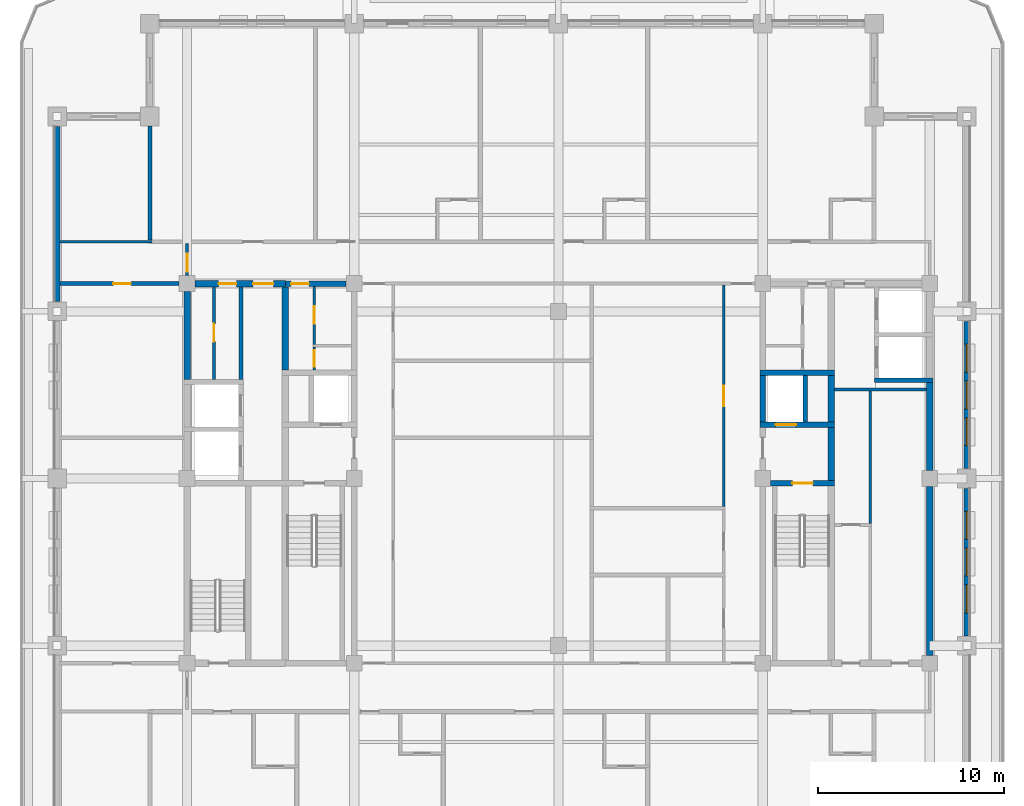
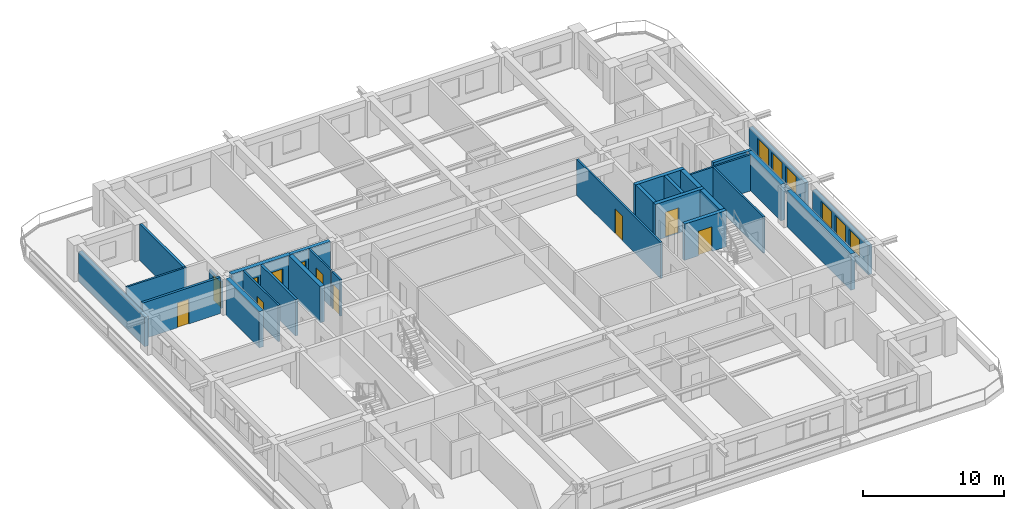
# One storey, part 5 of 14: 28 walls, 11 doors, 6 windows, 17 openings.
"""IFC4 building model written with IfcOpenShell, lengths in metres."""

from ifc_helpers import new_model, si_unit, direction, frame, frame_2d, origin, place, context, subcontext, project, spatial, rectangle, extrude, material, layer, layer_set, type_object, element, fill, save


model = new_model("IFC4")

# Units and contexts
model_context = context("Model", 3, precision=1e-05, world=origin(), true_north=direction((0.0, 1.0)))
body_context = subcontext(model_context, "Body", "Model", "MODEL_VIEW")
ifc_project = project(units=[si_unit("LENGTHUNIT", "METRE"), si_unit("AREAUNIT", "SQUARE_METRE"), si_unit("VOLUMEUNIT", "CUBIC_METRE"), si_unit("PLANEANGLEUNIT", "RADIAN"), si_unit("MASSUNIT", "GRAM", prefix="KILO")], contexts=[model_context])

# Site, building, storey
site_placement = place(None, origin())
site = spatial("IfcSite", under=ifc_project, at=site_placement, CompositionType="ELEMENT")
building_placement = place(site_placement, origin())
building = spatial("IfcBuilding", under=site, at=building_placement, Name="Zulmaris Gate Convention Tower", CompositionType="ELEMENT")
storey_placement = place(building_placement, frame((0.0, 0.0, 205.06005859375)))
storey = spatial("IfcBuildingStorey", under=building, at=storey_placement, Name="L53", CompositionType="ELEMENT", Elevation=205.06005859375)

# Walls
ifc_material_1 = material(Name="Concrete C50/60", Category="concrete")
ifc_layer_1 = layer(ifc_material_1, 0.25, Name="Concrete C50/60")
ifc_layer_set_1 = layer_set([ifc_layer_1], Name="Concrete C50/60")
wall_type_1 = type_object("IfcWallType", Name="CORE-250", PredefinedType="SOLIDWALL", material=ifc_layer_set_1)
wall_1_placement = place(storey_placement, frame((17.02490234375, 5.300048828125, 0.0), z_axis=(0.0, 0.0, 1.0), x_axis=(1.0, 0.0, 0.0)))
element("IfcWall", 1, at=wall_1_placement, inside=storey, type_object=wall_type_1, Name="WL-L53-011", PredefinedType="SOLIDWALL", context=body_context, shape_type="SweptSolid", body=[
    extrude(rectangle(XDim=3.150146484375, YDim=0.25, at=frame_2d((1.5751953125, 0.0))), origin(), (0.0, 0.0, 1.0), 3.14990234375),
])
wall_2_placement = place(storey_placement, frame((13.300048828125, 3.052001953125, 0.0), z_axis=(0.0, 0.0, 1.0), x_axis=(0.0, 1.0, 0.0)))
element("IfcWall", 2, at=wall_2_placement, inside=storey, type_object=wall_type_1, Name="WL-L53-067", PredefinedType="SOLIDWALL", context=body_context, shape_type="SweptSolid", body=[
    extrude(rectangle(XDim=2.49609375, YDim=0.25, at=frame_2d((1.248046875, 0.0))), origin(), (0.0, 0.0, 1.0), 3.14990234375),
])

# Wall, opening, door
ifc_layer_2 = layer(ifc_material_1, 0.300048828125, Name="Concrete C50/60")
ifc_layer_set_2 = layer_set([ifc_layer_2], Name="Concrete C50/60")
wall_type_2 = type_object("IfcWallType", Name="CORE-300", PredefinedType="SHEAR", material=ifc_layer_set_2)
wall_3_placement = place(storey_placement, frame((11.428955078125, -0.25, 0.0), z_axis=(0.0, 0.0, 1.0), x_axis=(1.0, 0.0, 0.0)))
wall_3 = element("IfcWall", 3, at=wall_3_placement, inside=storey, type_object=wall_type_2, Name="WL-L53-006", PredefinedType="SHEAR", context=body_context, shape_type="SweptSolid", body=[
    extrude(rectangle(XDim=3.446044921875, YDim=0.300048828125, at=frame_2d((1.72314453125, 0.0))), origin(), (0.0, 0.0, 1.0), 3.14990234375),
])
opening_1_placement = place(wall_3_placement, frame((1.1708984375, 0.0, 0.0)))
opening_1 = element("IfcOpeningElement", 4, at=opening_1_placement, cuts=wall_3, Name="Opening D-08", PredefinedType="OPENING", context=body_context, shape_type="SweptSolid", body=[
    extrude(rectangle(XDim=1.10009765625, YDim=2.14990234375, at=frame_2d((0.550048828125, 1.074951171875))), frame((0.0, 0.16015625, 0.0), z_axis=(0.0, -1.0, 0.0), x_axis=(1.0, 0.0, 0.0)), (0.0, 0.0, 1.0), 0.320068359375),
])
ifc_material_2 = material(Name="Fire-Rated Steel", Category="steel")
door_type_1 = type_object("IfcDoorType", Name="DR-1100-FD", OperationType="NOTDEFINED", PredefinedType="DOOR", material=ifc_material_2)
door_1_placement = place(opening_1_placement, origin())
door_1 = element("IfcDoor", 5, at=door_1_placement, inside=storey, type_object=door_type_1, Name="L53 Exit Stair ST-2 Door 04", OperationType="SINGLE_SWING_RIGHT", OverallHeight=2.14990234375, OverallWidth=1.10009765625, PredefinedType="DOOR", context=body_context, shape_type="SweptSolid", body=[
    extrude(rectangle(XDim=1.10009765625, YDim=2.14990234375, at=frame_2d((0.550048828125, 1.074951171875))), frame((0.0, 0.02490234375, 0.0), z_axis=(0.0, -1.0, 0.0), x_axis=(1.0, 0.0, 0.0)), (0.0, 0.0, 1.0), 0.050048828125),
])
fill(opening_1, door_1)

wall_4_placement = place(storey_placement, frame((10.85009765625, 2.89990234375, 0.0), z_axis=(0.0, 0.0, 1.0), x_axis=(1.0, 0.0, 0.0)))
wall_4 = element("IfcWall", 6, at=wall_4_placement, inside=storey, type_object=wall_type_2, Name="WL-L53-009", PredefinedType="SHEAR", context=body_context, shape_type="SweptSolid", body=[
    extrude(rectangle(XDim=4.02490234375, YDim=0.300048828125, at=frame_2d((2.012451171875, 0.0))), origin(), (0.0, 0.0, 1.0), 3.14990234375),
])
opening_2_placement = place(wall_4_placement, frame((0.85009765625, 0.0, 0.0)))
opening_2 = element("IfcOpeningElement", 7, at=opening_2_placement, cuts=wall_4, Name="Opening D-06", PredefinedType="OPENING", context=body_context, shape_type="SweptSolid", body=[
    extrude(rectangle(XDim=1.10009765625, YDim=2.199951171875, at=frame_2d((0.550048828125, 1.10009765625))), frame((0.0, 0.16015625, 0.0), z_axis=(0.0, -1.0, 0.0), x_axis=(1.0, 0.0, 0.0)), (0.0, 0.0, 1.0), 0.320068359375),
])
ifc_material_3 = material(Name="Brushed Stainless Steel", Category="steel")
door_type_2 = type_object("IfcDoorType", Name="LD-1100", OperationType="NOTDEFINED", PredefinedType="DOOR", material=ifc_material_3)
door_2_placement = place(opening_2_placement, origin())
door_2 = element("IfcDoor", 8, at=door_2_placement, inside=storey, type_object=door_type_2, Name="L53 Lift Landing Door LF-02 06", OperationType="SLIDING_TO_RIGHT", OverallHeight=2.199951171875, OverallWidth=1.10009765625, PredefinedType="DOOR", context=body_context, shape_type="SweptSolid", body=[
    extrude(rectangle(XDim=1.10009765625, YDim=2.199951171875, at=frame_2d((0.550048828125, 1.10009765625))), frame((0.0, 0.02490234375, 0.0), z_axis=(0.0, -1.0, 0.0), x_axis=(1.0, 0.0, 0.0)), (0.0, 0.0, 1.0), 0.050048828125),
])
fill(opening_2, door_2)

# Wall
wall_5_placement = place(storey_placement, frame((10.85009765625, 5.699951171875, 0.0), z_axis=(0.0, 0.0, 1.0), x_axis=(1.0, 0.0, 0.0)))
element("IfcWall", 9, at=wall_5_placement, inside=storey, type_object=wall_type_2, Name="WL-L53-013", PredefinedType="SHEAR", context=body_context, shape_type="SweptSolid", body=[
    extrude(rectangle(XDim=4.02490234375, YDim=0.300048828125, at=frame_2d((2.012451171875, 0.0))), origin(), (0.0, 0.0, 1.0), 3.14990234375),
])

# Wall, opening, door
wall_6_placement = place(storey_placement, frame((-14.699951171875, 10.5, 0.0), z_axis=(0.0, 0.0, 1.0), x_axis=(1.0, 0.0, 0.0)))
wall_6 = element("IfcWall", 10, at=wall_6_placement, inside=storey, type_object=wall_type_2, Name="WL-L53-016", PredefinedType="SHEAR", context=body_context, shape_type="SweptSolid", body=[
    extrude(rectangle(XDim=3.27099609375, YDim=0.300048828125, at=frame_2d((1.635498046875, 0.0))), origin(), (0.0, 0.0, 1.0), 3.14990234375),
])
opening_3_placement = place(wall_6_placement, frame((0.304931640625, 0.0, 0.0)))
opening_3 = element("IfcOpeningElement", 11, at=opening_3_placement, cuts=wall_6, Name="Opening D-11", PredefinedType="OPENING", context=body_context, shape_type="SweptSolid", body=[
    extrude(rectangle(XDim=0.949951171875, YDim=2.14990234375, at=frame_2d((0.47509765625, 1.074951171875))), frame((0.0, 0.16015625, 0.0), z_axis=(0.0, -1.0, 0.0), x_axis=(1.0, 0.0, 0.0)), (0.0, 0.0, 1.0), 0.320068359375),
])
ifc_material_4 = material(Name="Fire-Rated Timber", Category="wood")
door_type_3 = type_object("IfcDoorType", Name="DR-950-FD", OperationType="NOTDEFINED", PredefinedType="DOOR", material=ifc_material_4)
door_3_placement = place(opening_3_placement, origin())
door_3 = element("IfcDoor", 12, at=door_3_placement, inside=storey, type_object=door_type_3, Name="L53 Core West Passage Door 07", OperationType="SINGLE_SWING_RIGHT", OverallHeight=2.14990234375, OverallWidth=0.949951171875, PredefinedType="DOOR", context=body_context, shape_type="SweptSolid", body=[
    extrude(rectangle(XDim=0.949951171875, YDim=2.14990234375, at=frame_2d((0.47509765625, 1.074951171875))), frame((0.0, 0.02490234375, 0.0), z_axis=(0.0, -1.0, 0.0), x_axis=(1.0, 0.0, 0.0)), (0.0, 0.0, 1.0), 0.050048828125),
])
fill(opening_3, door_3)

# Wall
wall_7_placement = place(storey_placement, frame((11.0, 3.052001953125, 0.0), z_axis=(0.0, 0.0, 1.0), x_axis=(0.0, 1.0, 0.0)))
element("IfcWall", 13, at=wall_7_placement, inside=storey, type_object=wall_type_2, Name="WL-L53-064", PredefinedType="SHEAR", context=body_context, shape_type="SweptSolid", body=[
    extrude(rectangle(XDim=2.49609375, YDim=0.300048828125, at=frame_2d((1.248046875, 0.0))), origin(), (0.0, 0.0, 1.0), 3.14990234375),
])

# Wall, openings, doors
ifc_material_5 = material(Name="Concrete C55/67", Category="concrete")
ifc_layer_3 = layer(ifc_material_5, 0.35009765625, Name="Concrete C55/67")
ifc_layer_set_3 = layer_set([ifc_layer_3], Name="Concrete C55/67")
wall_type_3 = type_object("IfcWallType", Name="CORE-350", PredefinedType="SHEAR", material=ifc_layer_set_3)
wall_8_placement = place(storey_placement, frame((-19.571044921875, 10.5, 0.0), z_axis=(0.0, 0.0, 1.0), x_axis=(1.0, 0.0, 0.0)))
wall_8 = element("IfcWall", 14, at=wall_8_placement, inside=storey, type_object=wall_type_3, Name="WL-L53-015", PredefinedType="SHEAR", context=body_context, shape_type="SweptSolid", body=[
    extrude(rectangle(XDim=4.87109375, YDim=0.35009765625, at=frame_2d((2.435546875, 0.0))), origin(), (0.0, 0.0, 1.0), 3.14990234375),
])
opening_4_placement = place(wall_8_placement, frame((3.12109375, 0.0, 0.0)))
opening_4 = element("IfcOpeningElement", 15, at=opening_4_placement, cuts=wall_8, Name="Opening D-08", PredefinedType="OPENING", context=body_context, shape_type="SweptSolid", body=[
    extrude(rectangle(XDim=1.10009765625, YDim=2.14990234375, at=frame_2d((0.550048828125, 1.074951171875))), frame((0.0, 0.18505859375, 0.0), z_axis=(0.0, -1.0, 0.0), x_axis=(1.0, 0.0, 0.0)), (0.0, 0.0, 1.0), 0.3701171875),
])
opening_5_placement = place(wall_8_placement, frame((1.27587890625, 0.0, 0.0)))
opening_5 = element("IfcOpeningElement", 16, at=opening_5_placement, cuts=wall_8, Name="Opening D-11", PredefinedType="OPENING", context=body_context, shape_type="SweptSolid", body=[
    extrude(rectangle(XDim=0.949951171875, YDim=2.14990234375, at=frame_2d((0.47509765625, 1.074951171875))), frame((0.0, 0.18505859375, 0.0), z_axis=(0.0, -1.0, 0.0), x_axis=(1.0, 0.0, 0.0)), (0.0, 0.0, 1.0), 0.3701171875),
])
door_4_placement = place(opening_4_placement, origin())
door_4 = element("IfcDoor", 17, at=door_4_placement, inside=storey, type_object=door_type_1, Name="L53 High-Rise West Lift Lobby Door 16", OperationType="SINGLE_SWING_LEFT", OverallHeight=2.14990234375, OverallWidth=1.10009765625, PredefinedType="DOOR", context=body_context, shape_type="SweptSolid", body=[
    extrude(rectangle(XDim=1.10009765625, YDim=2.14990234375, at=frame_2d((0.550048828125, 1.074951171875))), frame((0.0, 0.02490234375, 0.0), z_axis=(0.0, -1.0, 0.0), x_axis=(1.0, 0.0, 0.0)), (0.0, 0.0, 1.0), 0.050048828125),
])
fill(opening_4, door_4)
door_5_placement = place(opening_5_placement, origin())
door_5 = element("IfcDoor", 18, at=door_5_placement, inside=storey, type_object=door_type_3, Name="L53 Tray Closet Door 17", OperationType="SINGLE_SWING_RIGHT", OverallHeight=2.14990234375, OverallWidth=0.949951171875, PredefinedType="DOOR", context=body_context, shape_type="SweptSolid", body=[
    extrude(rectangle(XDim=0.949951171875, YDim=2.14990234375, at=frame_2d((0.47509765625, 1.074951171875))), frame((0.0, 0.02490234375, 0.0), z_axis=(0.0, -1.0, 0.0), x_axis=(1.0, 0.0, 0.0)), (0.0, 0.0, 1.0), 0.050048828125),
])
fill(opening_5, door_5)

# Walls
wall_9_placement = place(storey_placement, frame((-20.0, 5.326904296875, 0.0), z_axis=(0.0, 0.0, 1.0), x_axis=(0.0, 1.0, 0.0)))
element("IfcWall", 19, at=wall_9_placement, inside=storey, type_object=wall_type_3, Name="WL-L53-048", PredefinedType="SHEAR", context=body_context, shape_type="SweptSolid", body=[
    extrude(rectangle(XDim=4.744140625, YDim=0.35009765625, at=frame_2d((2.3720703125, 0.0))), origin(), (0.0, 0.0, 1.0), 3.14990234375),
])
wall_10_placement = place(storey_placement, frame((-14.699951171875, 5.85205078125, 0.0), z_axis=(0.0, 0.0, 1.0), x_axis=(0.0, 1.0, 0.0)))
element("IfcWall", 20, at=wall_10_placement, inside=storey, type_object=wall_type_3, Name="WL-L53-055", PredefinedType="SHEAR", context=body_context, shape_type="SweptSolid", body=[
    extrude(rectangle(XDim=4.470947265625, YDim=0.35009765625, at=frame_2d((2.2353515625, 0.0))), origin(), (0.0, 0.0, 1.0), 3.14990234375),
])
wall_11_placement = place(storey_placement, frame((14.699951171875, -0.097900390625, 0.0), z_axis=(0.0, 0.0, 1.0), x_axis=(0.0, 1.0, 0.0)))
element("IfcWall", 21, at=wall_11_placement, inside=storey, type_object=wall_type_3, Name="WL-L53-069", PredefinedType="SHEAR", context=body_context, shape_type="SweptSolid", body=[
    extrude(rectangle(XDim=2.845947265625, YDim=0.35009765625, at=frame_2d((1.4228515625, 0.0))), origin(), (0.0, 0.0, 1.0), 3.14990234375),
])
wall_12_placement = place(storey_placement, frame((14.699951171875, 3.052001953125, 0.0), z_axis=(0.0, 0.0, 1.0), x_axis=(0.0, 1.0, 0.0)))
element("IfcWall", 22, at=wall_12_placement, inside=storey, type_object=wall_type_3, Name="WL-L53-070", PredefinedType="SHEAR", context=body_context, shape_type="SweptSolid", body=[
    extrude(rectangle(XDim=2.49609375, YDim=0.35009765625, at=frame_2d((1.248046875, 0.0))), origin(), (0.0, 0.0, 1.0), 3.14990234375),
])
wall_13_placement = place(storey_placement, frame((20.0, -9.52099609375, 0.0), z_axis=(0.0, 0.0, 1.0), x_axis=(0.0, 1.0, 0.0)))
element("IfcWall", 23, at=wall_13_placement, inside=storey, type_object=wall_type_3, Name="WL-L53-074", PredefinedType="SHEAR", context=body_context, shape_type="SweptSolid", body=[
    extrude(rectangle(XDim=9.092041015625, YDim=0.35009765625, at=frame_2d((4.5458984375, 0.0))), origin(), (0.0, 0.0, 1.0), 3.14990234375),
])
wall_14_placement = place(storey_placement, frame((20.0, 0.428955078125, 0.0), z_axis=(0.0, 0.0, 1.0), x_axis=(0.0, 1.0, 0.0)))
element("IfcWall", 24, at=wall_14_placement, inside=storey, type_object=wall_type_3, Name="WL-L53-074S1", PredefinedType="SHEAR", context=body_context, shape_type="SweptSolid", body=[
    extrude(rectangle(XDim=4.744140625, YDim=0.35009765625, at=frame_2d((2.3720703125, 0.0))), origin(), (0.0, 0.0, 1.0), 3.14990234375),
])
ifc_material_6 = material(Name="Gypsum Metal Stud Partition")
ifc_layer_4 = layer(ifc_material_6, 0.14990234375, Name="Gypsum Metal Stud Partition")
ifc_layer_set_4 = layer_set([ifc_layer_4], Name="Gypsum Metal Stud Partition")
wall_type_4 = type_object("IfcWallType", Name="PART-150", PredefinedType="PARTITIONING", material=ifc_layer_set_4)
wall_15_placement = place(storey_placement, frame((14.8779296875, 4.800048828125, 0.0), z_axis=(0.0, 0.0, 1.0), x_axis=(1.0, 0.0, 0.0)))
element("IfcWall", 25, at=wall_15_placement, inside=storey, type_object=wall_type_4, Name="WL-L53-033", PredefinedType="PARTITIONING", context=body_context, shape_type="SweptSolid", body=[
    extrude(rectangle(XDim=4.944091796875, YDim=0.14990234375, at=frame_2d((2.47216796875, 0.0))), origin(), (0.0, 0.0, 1.0), 3.14990234375),
])
wall_16_placement = place(storey_placement, frame((-26.8349609375, 12.75, 0.0), z_axis=(0.0, 0.0, 1.0), x_axis=(1.0, 0.0, 0.0)))
element("IfcWall", 26, at=wall_16_placement, inside=storey, type_object=wall_type_4, Name="WL-L53-039", PredefinedType="PARTITIONING", context=body_context, shape_type="SweptSolid", body=[
    extrude(rectangle(XDim=4.93505859375, YDim=0.14990234375, at=frame_2d((2.467529296875, 0.0))), origin(), (0.0, 0.0, 1.0), 3.14990234375),
])

# Wall, opening, door
wall_17_placement = place(storey_placement, frame((-20.0, 10.930908203125, 0.0), z_axis=(0.0, 0.0, 1.0), x_axis=(0.0, 1.0, 0.0)))
wall_17 = element("IfcWall", 27, at=wall_17_placement, inside=storey, type_object=wall_type_4, Name="WL-L53-080", PredefinedType="PARTITIONING", context=body_context, shape_type="SweptSolid", body=[
    extrude(rectangle(XDim=1.716064453125, YDim=0.14990234375, at=frame_2d((0.85791015625, 0.0))), origin(), (0.0, 0.0, 1.0), 2.342041015625),
])
opening_6_placement = place(wall_17_placement, frame((0.214111328125, 0.0, 0.0)))
opening_6 = element("IfcOpeningElement", 28, at=opening_6_placement, cuts=wall_17, Name="Opening D-11", PredefinedType="OPENING", context=body_context, shape_type="SweptSolid", body=[
    extrude(rectangle(XDim=0.949951171875, YDim=2.14990234375, at=frame_2d((0.47509765625, 1.074951171875))), frame((0.0, 0.0849609375, 0.0), z_axis=(0.0, -1.0, 0.0), x_axis=(1.0, 0.0, 0.0)), (0.0, 0.0, 1.0), 0.169921875),
])
door_6_placement = place(opening_6_placement, origin())
door_6 = element("IfcDoor", 29, at=door_6_placement, inside=storey, type_object=door_type_3, Name="L53 West Spur Door 51", OperationType="SINGLE_SWING_RIGHT", OverallHeight=2.14990234375, OverallWidth=0.949951171875, PredefinedType="DOOR", context=body_context, shape_type="SweptSolid", body=[
    extrude(rectangle(XDim=0.949951171875, YDim=2.14990234375, at=frame_2d((0.47509765625, 1.074951171875))), frame((0.0, 0.02490234375, 0.0), z_axis=(0.0, -1.0, 0.0), x_axis=(1.0, 0.0, 0.0)), (0.0, 0.0, 1.0), 0.050048828125),
])
fill(opening_6, door_6)

wall_18_placement = place(storey_placement, frame((-18.550048828125, 5.327880859375, 0.0), z_axis=(0.0, 0.0, 1.0), x_axis=(0.0, 1.0, 0.0)))
wall_18 = element("IfcWall", 30, at=wall_18_placement, inside=storey, type_object=wall_type_4, Name="WL-L53-081", PredefinedType="PARTITIONING", context=body_context, shape_type="SweptSolid", body=[
    extrude(rectangle(XDim=4.994140625, YDim=0.14990234375, at=frame_2d((2.4970703125, 0.0))), origin(), (0.0, 0.0, 1.0), 3.14990234375),
])
opening_7_placement = place(wall_18_placement, frame((2.047119140625, 0.0, 0.0)))
opening_7 = element("IfcOpeningElement", 31, at=opening_7_placement, cuts=wall_18, Name="Opening D-11", PredefinedType="OPENING", context=body_context, shape_type="SweptSolid", body=[
    extrude(rectangle(XDim=0.949951171875, YDim=2.14990234375, at=frame_2d((0.47509765625, 1.074951171875))), frame((0.0, 0.0849609375, 0.0), z_axis=(0.0, -1.0, 0.0), x_axis=(1.0, 0.0, 0.0)), (0.0, 0.0, 1.0), 0.169921875),
])
door_7_placement = place(opening_7_placement, origin())
door_7 = element("IfcDoor", 32, at=door_7_placement, inside=storey, type_object=door_type_3, Name="L53 Housekeeping Door 18", OperationType="SINGLE_SWING_LEFT", OverallHeight=2.14990234375, OverallWidth=0.949951171875, PredefinedType="DOOR", context=body_context, shape_type="SweptSolid", body=[
    extrude(rectangle(XDim=0.949951171875, YDim=2.14990234375, at=frame_2d((0.47509765625, 1.074951171875))), frame((0.0, 0.02490234375, 0.0), z_axis=(0.0, -1.0, 0.0), x_axis=(1.0, 0.0, 0.0)), (0.0, 0.0, 1.0), 0.050048828125),
])
fill(opening_7, door_7)

wall_19_placement = place(storey_placement, frame((-13.14990234375, 5.85302734375, 0.0), z_axis=(0.0, 0.0, 1.0), x_axis=(0.0, 1.0, 0.0)))
wall_19 = element("IfcWall", 33, at=wall_19_placement, inside=storey, type_object=wall_type_4, Name="WL-L53-086", PredefinedType="PARTITIONING", context=body_context, shape_type="SweptSolid", body=[
    extrude(rectangle(XDim=1.218994140625, YDim=0.14990234375, at=frame_2d((0.609375, 0.0))), origin(), (0.0, 0.0, 1.0), 3.14990234375),
])
opening_8_placement = place(wall_19_placement, frame((0.1689453125, 0.0, 0.0)))
opening_8 = element("IfcOpeningElement", 34, at=opening_8_placement, cuts=wall_19, Name="Opening D-12", PredefinedType="OPENING", context=body_context, shape_type="SweptSolid", body=[
    extrude(rectangle(XDim=0.89990234375, YDim=2.14990234375, at=frame_2d((0.449951171875, 1.074951171875))), frame((0.0, 0.0849609375, 0.0), z_axis=(0.0, -1.0, 0.0), x_axis=(1.0, 0.0, 0.0)), (0.0, 0.0, 1.0), 0.169921875),
])
door_type_4 = type_object("IfcDoorType", Name="DR-900-FD", OperationType="NOTDEFINED", PredefinedType="DOOR", material=ifc_material_4)
door_8_placement = place(opening_8_placement, origin())
door_8 = element("IfcDoor", 35, at=door_8_placement, inside=storey, type_object=door_type_4, Name="L53 Stationery Closet Door 08", OperationType="SINGLE_SWING_LEFT", OverallHeight=2.14990234375, OverallWidth=0.89990234375, PredefinedType="DOOR", context=body_context, shape_type="SweptSolid", body=[
    extrude(rectangle(XDim=0.89990234375, YDim=2.14990234375, at=frame_2d((0.449951171875, 1.074951171875))), frame((0.0, 0.02490234375, 0.0), z_axis=(0.0, -1.0, 0.0), x_axis=(1.0, 0.0, 0.0)), (0.0, 0.0, 1.0), 0.050048828125),
])
fill(opening_8, door_8)

wall_20_placement = place(storey_placement, frame((-13.14990234375, 7.22802734375, 0.0), z_axis=(0.0, 0.0, 1.0), x_axis=(0.0, 1.0, 0.0)))
wall_20 = element("IfcWall", 36, at=wall_20_placement, inside=storey, type_object=wall_type_4, Name="WL-L53-087", PredefinedType="PARTITIONING", context=body_context, shape_type="SweptSolid", body=[
    extrude(rectangle(XDim=3.118896484375, YDim=0.14990234375, at=frame_2d((1.5595703125, 0.0))), origin(), (0.0, 0.0, 1.0), 3.14990234375),
])
opening_9_placement = place(wall_20_placement, frame((1.096923828125, 0.0, 0.0)))
opening_9 = element("IfcOpeningElement", 37, at=opening_9_placement, cuts=wall_20, Name="Opening D-11", PredefinedType="OPENING", context=body_context, shape_type="SweptSolid", body=[
    extrude(rectangle(XDim=0.949951171875, YDim=2.14990234375, at=frame_2d((0.47509765625, 1.074951171875))), frame((0.0, 0.0849609375, 0.0), z_axis=(0.0, -1.0, 0.0), x_axis=(1.0, 0.0, 0.0)), (0.0, 0.0, 1.0), 0.169921875),
])
door_9_placement = place(opening_9_placement, origin())
door_9 = element("IfcDoor", 38, at=door_9_placement, inside=storey, type_object=door_type_3, Name="L53 Meter Closet Door 09", OperationType="SINGLE_SWING_RIGHT", OverallHeight=2.14990234375, OverallWidth=0.949951171875, PredefinedType="DOOR", context=body_context, shape_type="SweptSolid", body=[
    extrude(rectangle(XDim=0.949951171875, YDim=2.14990234375, at=frame_2d((0.47509765625, 1.074951171875))), frame((0.0, 0.02490234375, 0.0), z_axis=(0.0, -1.0, 0.0), x_axis=(1.0, 0.0, 0.0)), (0.0, 0.0, 1.0), 0.050048828125),
])
fill(opening_9, door_9)

wall_21_placement = place(storey_placement, frame((8.89990234375, -1.4970703125, 0.0), z_axis=(0.0, 0.0, 1.0), x_axis=(0.0, 1.0, 0.0)))
wall_21 = element("IfcWall", 39, at=wall_21_placement, inside=storey, type_object=wall_type_4, Name="WL-L53-112", PredefinedType="PARTITIONING", context=body_context, shape_type="SweptSolid", body=[
    extrude(rectangle(XDim=11.919189453125, YDim=0.14990234375, at=frame_2d((5.95947265625, 0.0))), origin(), (0.0, 0.0, 1.0), 3.14990234375),
])
opening_10_placement = place(wall_21_placement, frame((5.39697265625, 0.0, 0.0)))
opening_10 = element("IfcOpeningElement", 40, at=opening_10_placement, cuts=wall_21, Name="Opening D-08", PredefinedType="OPENING", context=body_context, shape_type="SweptSolid", body=[
    extrude(rectangle(XDim=1.10009765625, YDim=2.14990234375, at=frame_2d((0.550048828125, 1.074951171875))), frame((0.0, 0.0849609375, 0.0), z_axis=(0.0, -1.0, 0.0), x_axis=(1.0, 0.0, 0.0)), (0.0, 0.0, 1.0), 0.169921875),
])
door_10_placement = place(opening_10_placement, origin())
door_10 = element("IfcDoor", 41, at=door_10_placement, inside=storey, type_object=door_type_1, Name="L53 Breakout Room Door 47", OperationType="SINGLE_SWING_RIGHT", OverallHeight=2.14990234375, OverallWidth=1.10009765625, PredefinedType="DOOR", context=body_context, shape_type="SweptSolid", body=[
    extrude(rectangle(XDim=1.10009765625, YDim=2.14990234375, at=frame_2d((0.550048828125, 1.074951171875))), frame((0.0, 0.02490234375, 0.0), z_axis=(0.0, -1.0, 0.0), x_axis=(1.0, 0.0, 0.0)), (0.0, 0.0, 1.0), 0.050048828125),
])
fill(opening_10, door_10)

# Wall
wall_22_placement = place(storey_placement, frame((16.800048828125, -2.422119140625, 0.0), z_axis=(0.0, 0.0, 1.0), x_axis=(0.0, 1.0, 0.0)))
element("IfcWall", 42, at=wall_22_placement, inside=storey, type_object=wall_type_4, Name="WL-L53-118", PredefinedType="PARTITIONING", context=body_context, shape_type="SweptSolid", body=[
    extrude(rectangle(XDim=7.14404296875, YDim=0.14990234375, at=frame_2d((3.572021484375, 0.0))), origin(), (0.0, 0.0, 1.0), 3.14990234375),
])

# Wall, opening, door
ifc_material_7 = material(Name="Autoclaved Aerated Concrete Block and Plasterboard", Category="concrete")
ifc_layer_5 = layer(ifc_material_7, 0.199951171875, Name="Autoclaved Aerated Concrete Block and Plasterboard")
ifc_layer_set_5 = layer_set([ifc_layer_5], Name="Autoclaved Aerated Concrete Block and Plasterboard")
wall_type_5 = type_object("IfcWallType", Name="PART-200", PredefinedType="PARTITIONING", material=ifc_layer_set_5)
wall_23_placement = place(storey_placement, frame((-26.8349609375, 10.5, 0.0), z_axis=(0.0, 0.0, 1.0), x_axis=(1.0, 0.0, 0.0)))
wall_23 = element("IfcWall", 43, at=wall_23_placement, inside=storey, type_object=wall_type_5, Name="WL-L53-037", PredefinedType="PARTITIONING", context=body_context, shape_type="SweptSolid", body=[
    extrude(rectangle(XDim=6.404052734375, YDim=0.199951171875, at=frame_2d((3.2021484375, 0.0))), origin(), (0.0, 0.0, 1.0), 3.14990234375),
])
opening_11_placement = place(wall_23_placement, frame((2.860107421875, 0.0, 0.0)))
opening_11 = element("IfcOpeningElement", 44, at=opening_11_placement, cuts=wall_23, Name="Opening D-11", PredefinedType="OPENING", context=body_context, shape_type="SweptSolid", body=[
    extrude(rectangle(XDim=0.949951171875, YDim=2.14990234375, at=frame_2d((0.47509765625, 1.074951171875))), frame((0.0, 0.10986328125, 0.0), z_axis=(0.0, -1.0, 0.0), x_axis=(1.0, 0.0, 0.0)), (0.0, 0.0, 1.0), 0.219970703125),
])
door_11_placement = place(opening_11_placement, origin())
door_11 = element("IfcDoor", 45, at=door_11_placement, inside=storey, type_object=door_type_3, Name="L53 Sunset Lounge Door 53", OperationType="SINGLE_SWING_RIGHT", OverallHeight=2.14990234375, OverallWidth=0.949951171875, PredefinedType="DOOR", context=body_context, shape_type="SweptSolid", body=[
    extrude(rectangle(XDim=0.949951171875, YDim=2.14990234375, at=frame_2d((0.47509765625, 1.074951171875))), frame((0.0, 0.02490234375, 0.0), z_axis=(0.0, -1.0, 0.0), x_axis=(1.0, 0.0, 0.0)), (0.0, 0.0, 1.0), 0.050048828125),
])
fill(opening_11, door_11)

# Walls
wall_24_placement = place(storey_placement, frame((-22.0, 12.85302734375, 0.0), z_axis=(0.0, 0.0, 1.0), x_axis=(0.0, 1.0, 0.0)))
element("IfcWall", 46, at=wall_24_placement, inside=storey, type_object=wall_type_5, Name="WL-L53-078", PredefinedType="PARTITIONING", context=body_context, shape_type="SweptSolid", body=[
    extrude(rectangle(XDim=6.140869140625, YDim=0.199951171875, at=frame_2d((3.0703125, 0.0))), origin(), (0.0, 0.0, 1.0), 3.14990234375),
])
wall_25_placement = place(storey_placement, frame((-17.10009765625, 5.327880859375, 0.0), z_axis=(0.0, 0.0, 1.0), x_axis=(0.0, 1.0, 0.0)))
element("IfcWall", 47, at=wall_25_placement, inside=storey, type_object=wall_type_5, Name="WL-L53-082", PredefinedType="PARTITIONING", context=body_context, shape_type="SweptSolid", body=[
    extrude(rectangle(XDim=4.994140625, YDim=0.199951171875, at=frame_2d((2.4970703125, 0.0))), origin(), (0.0, 0.0, 1.0), 3.14990234375),
])

# Wall, openings, windows
ifc_material_8 = material(Name="Precast concrete C40/50", Category="concrete")
ifc_layer_6 = layer(ifc_material_8, 0.300048828125, Name="Precast concrete C40/50")
ifc_layer_set_6 = layer_set([ifc_layer_6], Name="Precast concrete C40/50")
wall_type_6 = type_object("IfcWallType", Name="PRECAST-PIER-300", PredefinedType="STANDARD", material=ifc_layer_set_6)
wall_26_placement = place(storey_placement, frame((22.0, -8.469970703125, 0.0), z_axis=(0.0, 0.0, 1.0), x_axis=(0.0, 1.0, 0.0)))
wall_26 = element("IfcWall", 48, at=wall_26_placement, inside=storey, type_object=wall_type_6, Name="EW-L53-E-1_0", PredefinedType="STANDARD", context=body_context, shape_type="SweptSolid", body=[
    extrude(rectangle(XDim=7.93994140625, YDim=0.300048828125, at=frame_2d((3.969970703125, 0.0))), origin(), (0.0, 0.0, 1.0), 2.5419921875),
])
opening_12_placement = place(wall_26_placement, frame((1.235107421875, 0.0, 0.719970703125)))
opening_12 = element("IfcOpeningElement", 49, at=opening_12_placement, cuts=wall_26, Name="Opening W-03", PredefinedType="OPENING", context=body_context, shape_type="SweptSolid", body=[
    extrude(rectangle(XDim=1.5, YDim=1.60009765625, at=frame_2d((0.75, 0.800048828125))), frame((0.0, 0.16015625, 0.0), z_axis=(0.0, -1.0, 0.0), x_axis=(1.0, 0.0, 0.0)), (0.0, 0.0, 1.0), 0.320068359375),
])
opening_13_placement = place(wall_26_placement, frame((3.219970703125, 0.0, 0.719970703125)))
opening_13 = element("IfcOpeningElement", 50, at=opening_13_placement, cuts=wall_26, Name="Opening W-03", PredefinedType="OPENING", context=body_context, shape_type="SweptSolid", body=[
    extrude(rectangle(XDim=1.5, YDim=1.60009765625, at=frame_2d((0.75, 0.800048828125))), frame((0.0, 0.16015625, 0.0), z_axis=(0.0, -1.0, 0.0), x_axis=(1.0, 0.0, 0.0)), (0.0, 0.0, 1.0), 0.320068359375),
])
opening_14_placement = place(wall_26_placement, frame((5.205078125, 0.0, 0.719970703125)))
opening_14 = element("IfcOpeningElement", 51, at=opening_14_placement, cuts=wall_26, Name="Opening W-03", PredefinedType="OPENING", context=body_context, shape_type="SweptSolid", body=[
    extrude(rectangle(XDim=1.5, YDim=1.60009765625, at=frame_2d((0.75, 0.800048828125))), frame((0.0, 0.16015625, 0.0), z_axis=(0.0, -1.0, 0.0), x_axis=(1.0, 0.0, 0.0)), (0.0, 0.0, 1.0), 0.320068359375),
])
ifc_material_9 = material(Name="Low-E Laminated Double Glazing in Aluminium Frame", Category="aluminium")
window_type = type_object("IfcWindowType", Name="WIN-1500x2100", PartitioningType="SINGLE_PANEL", PredefinedType="WINDOW", material=ifc_material_9)
window_1_placement = place(opening_12_placement, origin())
window_1 = element("IfcWindow", 52, at=window_1_placement, inside=storey, type_object=window_type, Name="WN-EW-L53-E-1_0-1", OverallHeight=1.60009765625, OverallWidth=1.5, PartitioningType="SINGLE_PANEL", PredefinedType="WINDOW", context=body_context, shape_type="SweptSolid", body=[
    extrude(rectangle(XDim=1.5, YDim=1.60009765625, at=frame_2d((0.75, 0.800048828125))), frame((0.0, 0.030029296875, 0.0), z_axis=(0.0, -1.0, 0.0), x_axis=(1.0, 0.0, 0.0)), (0.0, 0.0, 1.0), 0.06005859375),
])
fill(opening_12, window_1)
window_2_placement = place(opening_13_placement, origin())
window_2 = element("IfcWindow", 53, at=window_2_placement, inside=storey, type_object=window_type, Name="WN-EW-L53-E-1_0-2", OverallHeight=1.60009765625, OverallWidth=1.5, PartitioningType="SINGLE_PANEL", PredefinedType="WINDOW", context=body_context, shape_type="SweptSolid", body=[
    extrude(rectangle(XDim=1.5, YDim=1.60009765625, at=frame_2d((0.75, 0.800048828125))), frame((0.0, 0.030029296875, 0.0), z_axis=(0.0, -1.0, 0.0), x_axis=(1.0, 0.0, 0.0)), (0.0, 0.0, 1.0), 0.06005859375),
])
fill(opening_13, window_2)
window_3_placement = place(opening_14_placement, origin())
window_3 = element("IfcWindow", 54, at=window_3_placement, inside=storey, type_object=window_type, Name="WN-EW-L53-E-1_0-3", OverallHeight=1.60009765625, OverallWidth=1.5, PartitioningType="SINGLE_PANEL", PredefinedType="WINDOW", context=body_context, shape_type="SweptSolid", body=[
    extrude(rectangle(XDim=1.5, YDim=1.60009765625, at=frame_2d((0.75, 0.800048828125))), frame((0.0, 0.030029296875, 0.0), z_axis=(0.0, -1.0, 0.0), x_axis=(1.0, 0.0, 0.0)), (0.0, 0.0, 1.0), 0.06005859375),
])
fill(opening_14, window_3)

wall_27_placement = place(storey_placement, frame((22.0, 0.530029296875, 0.0), z_axis=(0.0, 0.0, 1.0), x_axis=(0.0, 1.0, 0.0)))
wall_27 = element("IfcWall", 55, at=wall_27_placement, inside=storey, type_object=wall_type_6, Name="EW-L53-E-2_0", PredefinedType="STANDARD", context=body_context, shape_type="SweptSolid", body=[
    extrude(rectangle(XDim=7.93994140625, YDim=0.300048828125, at=frame_2d((3.969970703125, 0.0))), origin(), (0.0, 0.0, 1.0), 2.5419921875),
])
opening_15_placement = place(wall_27_placement, frame((1.235107421875, 0.0, 0.719970703125)))
opening_15 = element("IfcOpeningElement", 56, at=opening_15_placement, cuts=wall_27, Name="Opening W-03", PredefinedType="OPENING", context=body_context, shape_type="SweptSolid", body=[
    extrude(rectangle(XDim=1.5, YDim=1.60009765625, at=frame_2d((0.75, 0.800048828125))), frame((0.0, 0.16015625, 0.0), z_axis=(0.0, -1.0, 0.0), x_axis=(1.0, 0.0, 0.0)), (0.0, 0.0, 1.0), 0.320068359375),
])
opening_16_placement = place(wall_27_placement, frame((3.219970703125, 0.0, 0.719970703125)))
opening_16 = element("IfcOpeningElement", 57, at=opening_16_placement, cuts=wall_27, Name="Opening W-03", PredefinedType="OPENING", context=body_context, shape_type="SweptSolid", body=[
    extrude(rectangle(XDim=1.5, YDim=1.60009765625, at=frame_2d((0.75, 0.800048828125))), frame((0.0, 0.16015625, 0.0), z_axis=(0.0, -1.0, 0.0), x_axis=(1.0, 0.0, 0.0)), (0.0, 0.0, 1.0), 0.320068359375),
])
opening_17_placement = place(wall_27_placement, frame((5.205078125, 0.0, 0.719970703125)))
opening_17 = element("IfcOpeningElement", 58, at=opening_17_placement, cuts=wall_27, Name="Opening W-03", PredefinedType="OPENING", context=body_context, shape_type="SweptSolid", body=[
    extrude(rectangle(XDim=1.5, YDim=1.60009765625, at=frame_2d((0.75, 0.800048828125))), frame((0.0, 0.16015625, 0.0), z_axis=(0.0, -1.0, 0.0), x_axis=(1.0, 0.0, 0.0)), (0.0, 0.0, 1.0), 0.320068359375),
])
window_4_placement = place(opening_15_placement, origin())
window_4 = element("IfcWindow", 59, at=window_4_placement, inside=storey, type_object=window_type, Name="WN-EW-L53-E-2_0-1", OverallHeight=1.60009765625, OverallWidth=1.5, PartitioningType="SINGLE_PANEL", PredefinedType="WINDOW", context=body_context, shape_type="SweptSolid", body=[
    extrude(rectangle(XDim=1.5, YDim=1.60009765625, at=frame_2d((0.75, 0.800048828125))), frame((0.0, 0.030029296875, 0.0), z_axis=(0.0, -1.0, 0.0), x_axis=(1.0, 0.0, 0.0)), (0.0, 0.0, 1.0), 0.06005859375),
])
fill(opening_15, window_4)
window_5_placement = place(opening_16_placement, origin())
window_5 = element("IfcWindow", 60, at=window_5_placement, inside=storey, type_object=window_type, Name="WN-EW-L53-E-2_0-2", OverallHeight=1.60009765625, OverallWidth=1.5, PartitioningType="SINGLE_PANEL", PredefinedType="WINDOW", context=body_context, shape_type="SweptSolid", body=[
    extrude(rectangle(XDim=1.5, YDim=1.60009765625, at=frame_2d((0.75, 0.800048828125))), frame((0.0, 0.030029296875, 0.0), z_axis=(0.0, -1.0, 0.0), x_axis=(1.0, 0.0, 0.0)), (0.0, 0.0, 1.0), 0.06005859375),
])
fill(opening_16, window_5)
window_6_placement = place(opening_17_placement, origin())
window_6 = element("IfcWindow", 61, at=window_6_placement, inside=storey, type_object=window_type, Name="WN-EW-L53-E-2_0-3", OverallHeight=1.60009765625, OverallWidth=1.5, PartitioningType="SINGLE_PANEL", PredefinedType="WINDOW", context=body_context, shape_type="SweptSolid", body=[
    extrude(rectangle(XDim=1.5, YDim=1.60009765625, at=frame_2d((0.75, 0.800048828125))), frame((0.0, 0.030029296875, 0.0), z_axis=(0.0, -1.0, 0.0), x_axis=(1.0, 0.0, 0.0)), (0.0, 0.0, 1.0), 0.06005859375),
])
fill(opening_17, window_6)

# Wall
wall_28_placement = place(storey_placement, frame((-27.0, 18.969970703125, 0.0), z_axis=(0.0, 0.0, 1.0), x_axis=(0.0, -1.0, 0.0)))
element("IfcWall", 62, at=wall_28_placement, inside=storey, type_object=wall_type_6, Name="EW-L53-W-3_0", PredefinedType="STANDARD", context=body_context, shape_type="SweptSolid", body=[
    extrude(rectangle(XDim=9.43994140625, YDim=0.300048828125, at=frame_2d((4.719970703125, 0.0))), origin(), (0.0, 0.0, 1.0), 2.5419921875),
])

save(model, "model.ifc")
